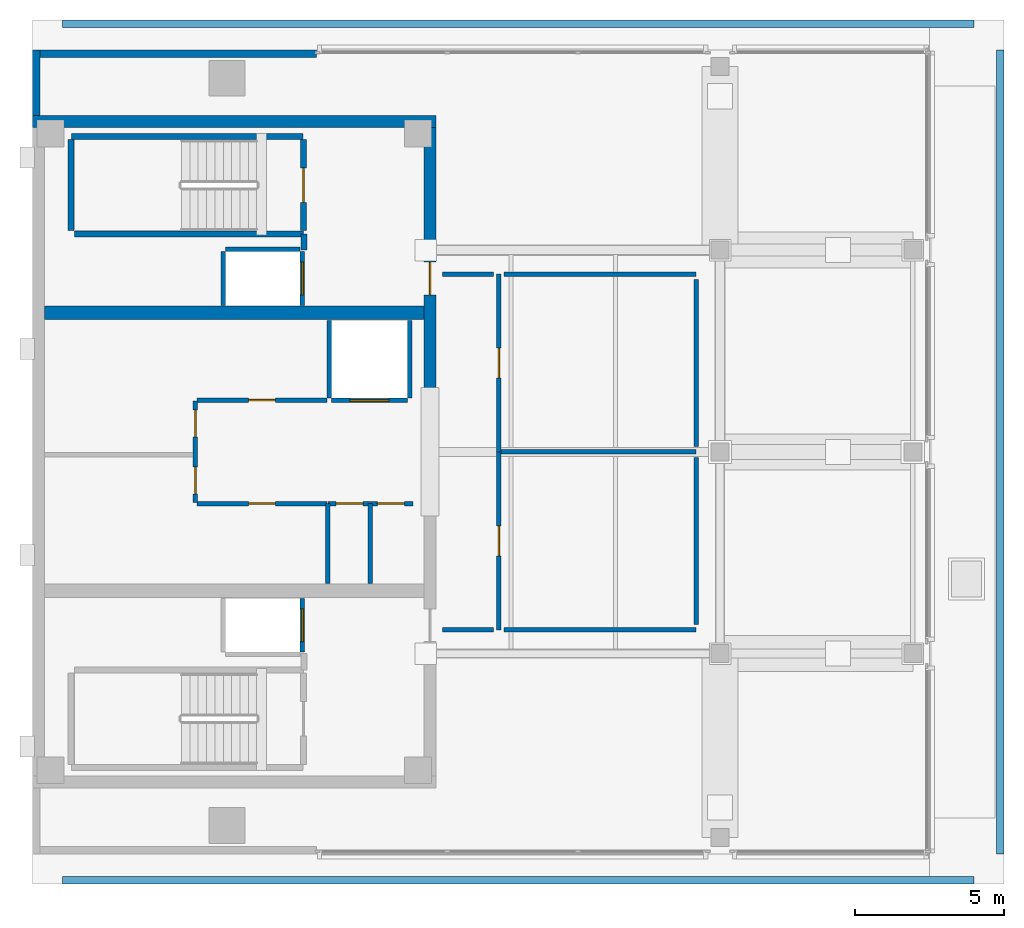
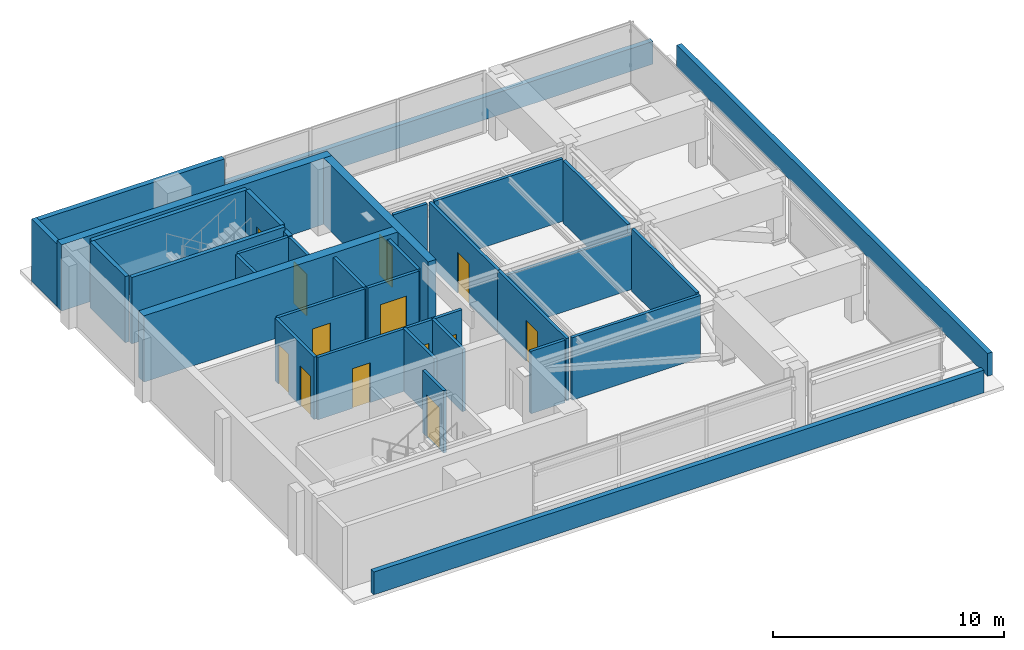
# One storey, part 5 of 9: 35 walls, 13 doors, 13 openings.
"""IFC4 building model written with IfcOpenShell, lengths in metres."""

from ifc_helpers import new_model, si_unit, direction, frame, frame_2d, origin, place, context, subcontext, project, spatial, rectangle, extrude, material, layer, layer_set, type_object, element, fill, save


model = new_model("IFC4")

# Units and contexts
model_context = context("Model", 3, precision=1e-05, world=origin(), true_north=direction((0.0, 1.0)))
body_context = subcontext(model_context, "Body", "Model", "MODEL_VIEW")
ifc_project = project(units=[si_unit("LENGTHUNIT", "METRE"), si_unit("AREAUNIT", "SQUARE_METRE"), si_unit("VOLUMEUNIT", "CUBIC_METRE"), si_unit("PLANEANGLEUNIT", "RADIAN"), si_unit("MASSUNIT", "GRAM", prefix="KILO")], contexts=[model_context])

# Site, building, storey
site_placement = place(None, origin())
site = spatial("IfcSite", under=ifc_project, at=site_placement, CompositionType="ELEMENT")
building_placement = place(site_placement, origin())
building = spatial("IfcBuilding", under=site, at=building_placement, Name="Kinhvarn Gate Tower", CompositionType="ELEMENT")
storey_placement = place(building_placement, frame((0.0, 0.0, 314.550048828125)))
storey = spatial("IfcBuildingStorey", under=building, at=storey_placement, Name="L83", CompositionType="ELEMENT", Elevation=314.550048828125)

# Wall
ifc_material_1 = material(Name="Concrete C50/60", Category="concrete")
ifc_layer_1 = layer(ifc_material_1, 0.39990234375)
ifc_layer_set_1 = layer_set([ifc_layer_1], Name="Concrete C50/60")
wall_type_1 = type_object("IfcWallType", Name="WL-CORE-400", PredefinedType="SHEAR", material=ifc_layer_set_1)
wall_1_placement = place(storey_placement, frame((4.5, 36.300048828125, 0.0), z_axis=(0.0, 0.0, 1.0), x_axis=(1.0, 0.0, 0.0)))
element("IfcWall", 1, at=wall_1_placement, inside=storey, type_object=wall_type_1, Name="Core North Shear Wall L83 400 mm", PredefinedType="SHEAR", context=body_context, shape_type="SweptSolid", body=[
    extrude(rectangle(XDim=13.5, YDim=0.39990234375, at=frame_2d((6.75, 0.0))), origin(), (0.0, 0.0, 1.0), 3.5),
])

# Wall, opening, door
wall_2_placement = place(storey_placement, frame((17.800048828125, 27.050048828125, 0.0), z_axis=(0.0, 0.0, 1.0), x_axis=(0.0, 1.0, 0.0)))
wall_2 = element("IfcWall", 2, at=wall_2_placement, inside=storey, type_object=wall_type_1, Name="Core East-North Shear Pier L83 400 mm", PredefinedType="SHEAR", context=body_context, shape_type="SweptSolid", body=[
    extrude(rectangle(XDim=9.050048828125, YDim=0.39990234375, at=frame_2d((4.52490234375, 0.0))), origin(), (0.0, 0.0, 1.0), 3.5),
])
opening_1_placement = place(wall_2_placement, frame((3.449951171875, 0.0, 0.0)))
opening_1 = element("IfcOpeningElement", 3, at=opening_1_placement, cuts=wall_2, Name="Opening FD-02", PredefinedType="OPENING", context=body_context, shape_type="SweptSolid", body=[
    extrude(rectangle(XDim=1.10009765625, YDim=2.14990234375, at=frame_2d((0.550048828125, 1.074951171875))), frame((0.0, 0.2099609375, 0.0), z_axis=(0.0, -1.0, 0.0), x_axis=(1.0, 0.0, 0.0)), (0.0, 0.0, 1.0), 0.419921875),
])
ifc_material_2 = material(Name="Anodised aluminium AW-6063", Category="aluminium")
door_type_1 = type_object("IfcDoorType", Name="DR-FD-1100", OperationType="NOTDEFINED", PredefinedType="DOOR", material=ifc_material_2)
door_1_placement = place(opening_1_placement, origin())
door_1 = element("IfcDoor", 4, at=door_1_placement, inside=storey, type_object=door_type_1, Name="Firefighting Lobby Core Door (L83)", OperationType="SINGLE_SWING_LEFT", OverallHeight=2.14990234375, OverallWidth=1.10009765625, PredefinedType="DOOR", context=body_context, shape_type="SweptSolid", body=[
    extrude(rectangle(XDim=1.10009765625, YDim=2.14990234375, at=frame_2d((0.550048828125, 1.074951171875))), frame((0.0, 0.02490234375, 0.0), z_axis=(0.0, -1.0, 0.0), x_axis=(1.0, 0.0, 0.0)), (0.0, 0.0, 1.0), 0.050048828125),
])
fill(opening_1, door_1)

# Walls
ifc_layer_2 = layer(ifc_material_1, 0.449951171875)
ifc_layer_set_2 = layer_set([ifc_layer_2], Name="Concrete C50/60")
wall_type_2 = type_object("IfcWallType", Name="WL-CORE-450", PredefinedType="SHEAR", material=ifc_layer_set_2)
wall_3_placement = place(storey_placement, frame((4.89990234375, 29.89990234375, 0.0), z_axis=(0.0, 0.0, 1.0), x_axis=(1.0, 0.0, 0.0)))
element("IfcWall", 5, at=wall_3_placement, inside=storey, type_object=wall_type_2, Name="Core North Spine Shear Wall L83 450 mm", PredefinedType="SHEAR", context=body_context, shape_type="SweptSolid", body=[
    extrude(rectangle(XDim=12.7001953125, YDim=0.449951171875, at=frame_2d((6.35009765625, 0.0))), origin(), (0.0, 0.0, 1.0), 3.5),
])
ifc_material_3 = material(Name="Fired architectural terracotta", Category="masonry")
ifc_layer_3 = layer(ifc_material_3, 0.25)
ifc_layer_set_3 = layer_set([ifc_layer_3], Name="Fired architectural terracotta")
wall_type_3 = type_object("IfcWallType", Name="WL-EXT-250", PredefinedType="SOLIDWALL", material=ifc_layer_set_3)
wall_4_placement = place(storey_placement, frame((4.625, 38.699951171875, 0.0), z_axis=(0.0, 0.0, 1.0), x_axis=(0.0, -1.0, 0.0)))
element("IfcWall", 6, at=wall_4_placement, inside=storey, type_object=wall_type_3, Name="Exterior Solidwall Wall EW-250 (L83 West-North)", PredefinedType="SOLIDWALL", context=body_context, shape_type="SweptSolid", body=[
    extrude(rectangle(XDim=2.199951171875, YDim=0.25, at=frame_2d((1.10009765625, 0.0))), origin(), (0.0, 0.0, 1.0), 3.300048828125),
])
wall_5_placement = place(storey_placement, frame((14.0, 38.574951171875, 0.0), z_axis=(0.0, 0.0, 1.0), x_axis=(-1.0, 0.0, 0.0)))
element("IfcWall", 7, at=wall_5_placement, inside=storey, type_object=wall_type_3, Name="Exterior Solidwall Wall EW-250 (L83 Crown-Core-N)", PredefinedType="SOLIDWALL", context=body_context, shape_type="SweptSolid", body=[
    extrude(rectangle(XDim=9.5, YDim=0.25, at=frame_2d((4.75, 0.0))), origin(), (0.0, 0.0, 1.0), 3.300048828125),
])
ifc_layer_4 = layer(ifc_material_3, 0.25)
ifc_layer_set_4 = layer_set([ifc_layer_4], Name="Fired architectural terracotta")
wall_type_4 = type_object("IfcWallType", Name="WL-PAR-250", PredefinedType="PARAPET", material=ifc_layer_set_4)
wall_6_placement = place(storey_placement, frame((36.875, 11.800048828125, 0.0), z_axis=(0.0, 0.0, 1.0), x_axis=(0.0, 1.0, 0.0)))
element("IfcWall", 8, at=wall_6_placement, inside=storey, type_object=wall_type_4, Name="Exterior Parapet Wall PRW-250 (L83 Crown-Step-Parapet-E)", PredefinedType="PARAPET", context=body_context, shape_type="SweptSolid", body=[
    extrude(rectangle(XDim=26.89990234375, YDim=0.25, at=frame_2d((13.449951171875, 0.0))), origin(), (0.0, 0.0, 1.0), 1.199951171875),
])
for number, where, z_axis, x_axis, name in (
    (9, (5.5, 10.925048828125, 0.0), (0.0, 0.0, 1.0), (1.0, 0.0, 0.0), "Exterior Parapet Wall PRW-250 (L83 Crown-Step-Parapet-S)"),
    (10, (36.0, 39.574951171875, 0.0), (0.0, 0.0, 1.0), (-1.0, 0.0, 0.0), "Exterior Parapet Wall PRW-250 (L83 Crown-Step-Parapet-N)"),
):
    element("IfcWall", number, at=place(storey_placement, frame(where, z_axis=z_axis, x_axis=x_axis)), inside=storey, type_object=wall_type_4, Name=name, PredefinedType="PARAPET", context=body_context, shape_type="SweptSolid", body=[
        extrude(rectangle(XDim=30.5, YDim=0.25, at=frame_2d((15.25, 0.0))), origin(), (0.0, 0.0, 1.0), 1.199951171875),
    ])

# Wall, openings, doors
ifc_material_4 = material(Name="Gypsum acoustic partition board")
ifc_layer_5 = layer(ifc_material_4, 0.14990234375)
ifc_layer_set_5 = layer_set([ifc_layer_5], Name="Gypsum acoustic partition board")
wall_type_5 = type_object("IfcWallType", Name="WL-PRT-150F", PredefinedType="PARTITIONING", material=ifc_layer_set_5)
wall_7_placement = place(storey_placement, frame((9.949951171875, 23.550048828125, 0.0), z_axis=(0.0, 0.0, 1.0), x_axis=(0.0, 1.0, 0.0)))
wall_7 = element("IfcWall", 11, at=wall_7_placement, inside=storey, type_object=wall_type_5, Name="Interior Partition PW-150F (L83)", PredefinedType="PARTITIONING", context=body_context, shape_type="SweptSolid", body=[
    extrude(rectangle(XDim=3.39990234375, YDim=0.14990234375, at=frame_2d((1.699951171875, 0.0))), origin(), (0.0, 0.0, 1.0), 3.300048828125),
])
opening_2_placement = place(wall_7_placement, frame((0.298095703125, 0.0, 0.0)))
opening_2 = element("IfcOpeningElement", 12, at=opening_2_placement, cuts=wall_7, Name="Opening FD-04", PredefinedType="OPENING", context=body_context, shape_type="SweptSolid", body=[
    extrude(rectangle(XDim=0.89990234375, YDim=2.10009765625, at=frame_2d((0.449951171875, 1.050048828125))), frame((0.0, 0.0849609375, 0.0), z_axis=(0.0, -1.0, 0.0), x_axis=(1.0, 0.0, 0.0)), (0.0, 0.0, 1.0), 0.169921875),
])
opening_3_placement = place(wall_7_placement, frame((2.201904296875, 0.0, 0.0)))
opening_3 = element("IfcOpeningElement", 13, at=opening_3_placement, cuts=wall_7, Name="Opening FD-04", PredefinedType="OPENING", context=body_context, shape_type="SweptSolid", body=[
    extrude(rectangle(XDim=0.89990234375, YDim=2.10009765625, at=frame_2d((0.449951171875, 1.050048828125))), frame((0.0, 0.0849609375, 0.0), z_axis=(0.0, -1.0, 0.0), x_axis=(1.0, 0.0, 0.0)), (0.0, 0.0, 1.0), 0.169921875),
])
door_type_2 = type_object("IfcDoorType", Name="DR-FD-900", OperationType="NOTDEFINED", PredefinedType="DOOR", material=ifc_material_2)
door_2_placement = place(opening_2_placement, origin())
door_2 = element("IfcDoor", 14, at=door_2_placement, inside=storey, type_object=door_type_2, Name="Rated Riser & Service Closet Fire Door 900x2100 mm (L83)", OperationType="SINGLE_SWING_LEFT", OverallHeight=2.10009765625, OverallWidth=0.89990234375, PredefinedType="DOOR", context=body_context, shape_type="SweptSolid", body=[
    extrude(rectangle(XDim=0.89990234375, YDim=2.10009765625, at=frame_2d((0.449951171875, 1.050048828125))), frame((0.0, 0.02490234375, 0.0), z_axis=(0.0, -1.0, 0.0), x_axis=(1.0, 0.0, 0.0)), (0.0, 0.0, 1.0), 0.050048828125),
])
fill(opening_2, door_2)
door_3_placement = place(opening_3_placement, origin())
door_3 = element("IfcDoor", 15, at=door_3_placement, inside=storey, type_object=door_type_2, Name="Rated Riser & Service Closet Fire Door 900x2100 mm (L83)", OperationType="SINGLE_SWING_RIGHT", OverallHeight=2.10009765625, OverallWidth=0.89990234375, PredefinedType="DOOR", context=body_context, shape_type="SweptSolid", body=[
    extrude(rectangle(XDim=0.89990234375, YDim=2.10009765625, at=frame_2d((0.449951171875, 1.050048828125))), frame((0.0, 0.02490234375, 0.0), z_axis=(0.0, -1.0, 0.0), x_axis=(1.0, 0.0, 0.0)), (0.0, 0.0, 1.0), 0.050048828125),
])
fill(opening_3, door_3)

# Wall, opening, door
wall_8_placement = place(storey_placement, frame((10.0, 23.52001953125, 0.0), z_axis=(0.0, 0.0, 1.0), x_axis=(1.0, 0.0, 0.0)))
wall_8 = element("IfcWall", 16, at=wall_8_placement, inside=storey, type_object=wall_type_5, Name="Interior Partition PW-150F (L83)", PredefinedType="PARTITIONING", context=body_context, shape_type="SweptSolid", body=[
    extrude(rectangle(XDim=4.35009765625, YDim=0.14990234375, at=frame_2d((2.175048828125, 0.0))), origin(), (0.0, 0.0, 1.0), 3.300048828125),
])
opening_4_placement = place(wall_8_placement, frame((1.72509765625, 0.0, 0.0)))
opening_4 = element("IfcOpeningElement", 17, at=opening_4_placement, cuts=wall_8, Name="Opening FD-04", PredefinedType="OPENING", context=body_context, shape_type="SweptSolid", body=[
    extrude(rectangle(XDim=0.89990234375, YDim=2.10009765625, at=frame_2d((0.449951171875, 1.050048828125))), frame((0.0, 0.0849609375, 0.0), z_axis=(0.0, -1.0, 0.0), x_axis=(1.0, 0.0, 0.0)), (0.0, 0.0, 1.0), 0.169921875),
])
door_4_placement = place(opening_4_placement, origin())
door_4 = element("IfcDoor", 18, at=door_4_placement, inside=storey, type_object=door_type_2, Name="Rated Riser & Service Closet Fire Door 900x2100 mm (L83)", OperationType="SINGLE_SWING_LEFT", OverallHeight=2.10009765625, OverallWidth=0.89990234375, PredefinedType="DOOR", context=body_context, shape_type="SweptSolid", body=[
    extrude(rectangle(XDim=0.89990234375, YDim=2.10009765625, at=frame_2d((0.449951171875, 1.050048828125))), frame((0.0, 0.02490234375, 0.0), z_axis=(0.0, -1.0, 0.0), x_axis=(1.0, 0.0, 0.0)), (0.0, 0.0, 1.0), 0.050048828125),
])
fill(opening_4, door_4)

wall_9_placement = place(storey_placement, frame((10.0, 26.97998046875, 0.0), z_axis=(0.0, 0.0, 1.0), x_axis=(1.0, 0.0, 0.0)))
wall_9 = element("IfcWall", 19, at=wall_9_placement, inside=storey, type_object=wall_type_5, Name="Interior Partition PW-150F (L83)", PredefinedType="PARTITIONING", context=body_context, shape_type="SweptSolid", body=[
    extrude(rectangle(XDim=4.35009765625, YDim=0.14990234375, at=frame_2d((2.175048828125, 0.0))), origin(), (0.0, 0.0, 1.0), 3.300048828125),
])
opening_5_placement = place(wall_9_placement, frame((1.72509765625, 0.0, 0.0)))
opening_5 = element("IfcOpeningElement", 20, at=opening_5_placement, cuts=wall_9, Name="Opening FD-04", PredefinedType="OPENING", context=body_context, shape_type="SweptSolid", body=[
    extrude(rectangle(XDim=0.89990234375, YDim=2.10009765625, at=frame_2d((0.449951171875, 1.050048828125))), frame((0.0, 0.0849609375, 0.0), z_axis=(0.0, -1.0, 0.0), x_axis=(1.0, 0.0, 0.0)), (0.0, 0.0, 1.0), 0.169921875),
])
door_5_placement = place(opening_5_placement, origin())
door_5 = element("IfcDoor", 21, at=door_5_placement, inside=storey, type_object=door_type_2, Name="Rated Riser & Service Closet Fire Door 900x2100 mm (L83)", OperationType="SINGLE_SWING_RIGHT", OverallHeight=2.10009765625, OverallWidth=0.89990234375, PredefinedType="DOOR", context=body_context, shape_type="SweptSolid", body=[
    extrude(rectangle(XDim=0.89990234375, YDim=2.10009765625, at=frame_2d((0.449951171875, 1.050048828125))), frame((0.0, 0.02490234375, 0.0), z_axis=(0.0, -1.0, 0.0), x_axis=(1.0, 0.0, 0.0)), (0.0, 0.0, 1.0), 0.050048828125),
])
fill(opening_5, door_5)

# Walls
for number, where, z_axis, x_axis, name in (
    (22, (14.3798828125, 20.85009765625, 0.0), (0.0, 0.0, 1.0), (0.0, 1.0, 0.0), "Interior Partition PW-150F (L83)"),
    (23, (15.800048828125, 20.85009765625, 0.0), (0.0, 0.0, 1.0), (0.0, 1.0, 0.0), "Interior Partition PW-150F (L83)"),
):
    element("IfcWall", number, at=place(storey_placement, frame(where, z_axis=z_axis, x_axis=x_axis)), inside=storey, type_object=wall_type_5, Name=name, PredefinedType="PARTITIONING", context=body_context, shape_type="SweptSolid", body=[
        extrude(rectangle(XDim=2.669921875, YDim=0.14990234375, at=frame_2d((1.3349609375, 0.0))), origin(), (0.0, 0.0, 1.0), 3.300048828125),
    ])

# Wall, openings, doors
wall_10_placement = place(storey_placement, frame((14.3798828125, 23.52001953125, 0.0), z_axis=(0.0, 0.0, 1.0), x_axis=(1.0, 0.0, 0.0)))
wall_10 = element("IfcWall", 24, at=wall_10_placement, inside=storey, type_object=wall_type_5, Name="Interior Partition PW-150F (L83)", PredefinedType="PARTITIONING", context=body_context, shape_type="SweptSolid", body=[
    extrude(rectangle(XDim=2.840087890625, YDim=0.14990234375, at=frame_2d((1.419921875, 0.0))), origin(), (0.0, 0.0, 1.0), 3.300048828125),
])
opening_6_placement = place(wall_10_placement, frame((0.280029296875, 0.0, 0.0)))
opening_6 = element("IfcOpeningElement", 25, at=opening_6_placement, cuts=wall_10, Name="Opening FD-04", PredefinedType="OPENING", context=body_context, shape_type="SweptSolid", body=[
    extrude(rectangle(XDim=0.89990234375, YDim=2.10009765625, at=frame_2d((0.449951171875, 1.050048828125))), frame((0.0, 0.0849609375, 0.0), z_axis=(0.0, -1.0, 0.0), x_axis=(1.0, 0.0, 0.0)), (0.0, 0.0, 1.0), 0.169921875),
])
opening_7_placement = place(wall_10_placement, frame((1.659912109375, 0.0, 0.0)))
opening_7 = element("IfcOpeningElement", 26, at=opening_7_placement, cuts=wall_10, Name="Opening FD-04", PredefinedType="OPENING", context=body_context, shape_type="SweptSolid", body=[
    extrude(rectangle(XDim=0.89990234375, YDim=2.10009765625, at=frame_2d((0.449951171875, 1.050048828125))), frame((0.0, 0.0849609375, 0.0), z_axis=(0.0, -1.0, 0.0), x_axis=(1.0, 0.0, 0.0)), (0.0, 0.0, 1.0), 0.169921875),
])
door_6_placement = place(opening_6_placement, origin())
door_6 = element("IfcDoor", 27, at=door_6_placement, inside=storey, type_object=door_type_2, Name="Rated Riser & Service Closet Fire Door 900x2100 mm (L83)", OperationType="SINGLE_SWING_LEFT", OverallHeight=2.10009765625, OverallWidth=0.89990234375, PredefinedType="DOOR", context=body_context, shape_type="SweptSolid", body=[
    extrude(rectangle(XDim=0.89990234375, YDim=2.10009765625, at=frame_2d((0.449951171875, 1.050048828125))), frame((0.0, 0.02490234375, 0.0), z_axis=(0.0, -1.0, 0.0), x_axis=(1.0, 0.0, 0.0)), (0.0, 0.0, 1.0), 0.050048828125),
])
fill(opening_6, door_6)
door_7_placement = place(opening_7_placement, origin())
door_7 = element("IfcDoor", 28, at=door_7_placement, inside=storey, type_object=door_type_2, Name="Rated Riser & Service Closet Fire Door 900x2100 mm (L83)", OperationType="SINGLE_SWING_RIGHT", OverallHeight=2.10009765625, OverallWidth=0.89990234375, PredefinedType="DOOR", context=body_context, shape_type="SweptSolid", body=[
    extrude(rectangle(XDim=0.89990234375, YDim=2.10009765625, at=frame_2d((0.449951171875, 1.050048828125))), frame((0.0, 0.02490234375, 0.0), z_axis=(0.0, -1.0, 0.0), x_axis=(1.0, 0.0, 0.0)), (0.0, 0.0, 1.0), 0.050048828125),
])
fill(opening_7, door_7)

# Wall, opening, door
wall_11_placement = place(storey_placement, frame((20.10009765625, 19.300048828125, 0.0), z_axis=(0.0, 0.0, 1.0), x_axis=(0.0, 1.0, 0.0)))
wall_11 = element("IfcWall", 29, at=wall_11_placement, inside=storey, type_object=wall_type_5, Name="Interior Partition PW-150F (L83)", PredefinedType="PARTITIONING", context=body_context, shape_type="SweptSolid", body=[
    extrude(rectangle(XDim=5.949951171875, YDim=0.14990234375, at=frame_2d((2.97509765625, 0.0))), origin(), (0.0, 0.0, 1.0), 3.300048828125),
])
opening_8_placement = place(wall_11_placement, frame((2.47509765625, 0.0, 0.0)))
opening_8 = element("IfcOpeningElement", 30, at=opening_8_placement, cuts=wall_11, Name="Opening FD-03", PredefinedType="OPENING", context=body_context, shape_type="SweptSolid", body=[
    extrude(rectangle(XDim=1.0, YDim=2.14990234375, at=frame_2d((0.5, 1.074951171875))), frame((0.0, 0.0849609375, 0.0), z_axis=(0.0, -1.0, 0.0), x_axis=(1.0, 0.0, 0.0)), (0.0, 0.0, 1.0), 0.169921875),
])
door_type_3 = type_object("IfcDoorType", Name="DR-FD-1000", OperationType="NOTDEFINED", PredefinedType="DOOR", material=ifc_material_2)
door_8_placement = place(opening_8_placement, origin())
door_8 = element("IfcDoor", 31, at=door_8_placement, inside=storey, type_object=door_type_3, Name="Rated Plant & Corridor Fire Door 1000x2150 mm (L83)", OperationType="SINGLE_SWING_LEFT", OverallHeight=2.14990234375, OverallWidth=1.0, PredefinedType="DOOR", context=body_context, shape_type="SweptSolid", body=[
    extrude(rectangle(XDim=1.0, YDim=2.14990234375, at=frame_2d((0.5, 1.074951171875))), frame((0.0, 0.02490234375, 0.0), z_axis=(0.0, -1.0, 0.0), x_axis=(1.0, 0.0, 0.0)), (0.0, 0.0, 1.0), 0.050048828125),
])
fill(opening_8, door_8)

wall_12_placement = place(storey_placement, frame((20.10009765625, 25.25, 0.0), z_axis=(0.0, 0.0, 1.0), x_axis=(0.0, 1.0, 0.0)))
wall_12 = element("IfcWall", 32, at=wall_12_placement, inside=storey, type_object=wall_type_5, Name="Interior Partition PW-150F (L83)", PredefinedType="PARTITIONING", context=body_context, shape_type="SweptSolid", body=[
    extrude(rectangle(XDim=5.949951171875, YDim=0.14990234375, at=frame_2d((2.97509765625, 0.0))), origin(), (0.0, 0.0, 1.0), 3.300048828125),
])
opening_9_placement = place(wall_12_placement, frame((2.47509765625, 0.0, 0.0)))
opening_9 = element("IfcOpeningElement", 33, at=opening_9_placement, cuts=wall_12, Name="Opening FD-03", PredefinedType="OPENING", context=body_context, shape_type="SweptSolid", body=[
    extrude(rectangle(XDim=1.0, YDim=2.14990234375, at=frame_2d((0.5, 1.074951171875))), frame((0.0, 0.0849609375, 0.0), z_axis=(0.0, -1.0, 0.0), x_axis=(1.0, 0.0, 0.0)), (0.0, 0.0, 1.0), 0.169921875),
])
door_9_placement = place(opening_9_placement, origin())
door_9 = element("IfcDoor", 34, at=door_9_placement, inside=storey, type_object=door_type_3, Name="Rated Plant & Corridor Fire Door 1000x2150 mm (L83)", OperationType="SINGLE_SWING_RIGHT", OverallHeight=2.14990234375, OverallWidth=1.0, PredefinedType="DOOR", context=body_context, shape_type="SweptSolid", body=[
    extrude(rectangle(XDim=1.0, YDim=2.14990234375, at=frame_2d((0.5, 1.074951171875))), frame((0.0, 0.02490234375, 0.0), z_axis=(0.0, -1.0, 0.0), x_axis=(1.0, 0.0, 0.0)), (0.0, 0.0, 1.0), 0.050048828125),
])
fill(opening_9, door_9)

# Walls
wall_13_placement = place(storey_placement, frame((20.10009765625, 25.25, 0.0), z_axis=(0.0, 0.0, 1.0), x_axis=(1.0, 0.0, 0.0)))
element("IfcWall", 35, at=wall_13_placement, inside=storey, type_object=wall_type_5, Name="Interior Partition PW-150F (L83)", PredefinedType="PARTITIONING", context=body_context, shape_type="SweptSolid", body=[
    extrude(rectangle(XDim=6.599853515625, YDim=0.14990234375, at=frame_2d((3.2998046875, 0.0))), origin(), (0.0, 0.0, 1.0), 2.93994140625),
])
wall_14_placement = place(storey_placement, frame((26.699951171875, 19.300048828125, 0.0), z_axis=(0.0, 0.0, 1.0), x_axis=(-1.0, 0.0, 0.0)))
element("IfcWall", 36, at=wall_14_placement, inside=storey, type_object=wall_type_5, Name="Interior Partition PW-150F (L83)", PredefinedType="PARTITIONING", context=body_context, shape_type="SweptSolid", body=[
    extrude(rectangle(XDim=6.419921875, YDim=0.14990234375, at=frame_2d((3.2099609375, 0.0))), origin(), (0.0, 0.0, 1.0), 3.300048828125),
])
for number, where, z_axis, x_axis, name in (
    (37, (19.919921875, 19.300048828125, 0.0), (0.0, 0.0, 1.0), (-1.0, 0.0, 0.0), "Interior Partition PW-150F (L83)"),
    (38, (18.219970703125, 31.199951171875, 0.0), (0.0, 0.0, 1.0), (1.0, 0.0, 0.0), "Interior Partition PW-150F (L83)"),
):
    element("IfcWall", number, at=place(storey_placement, frame(where, z_axis=z_axis, x_axis=x_axis)), inside=storey, type_object=wall_type_5, Name=name, PredefinedType="PARTITIONING", context=body_context, shape_type="SweptSolid", body=[
        extrude(rectangle(XDim=1.699951171875, YDim=0.14990234375, at=frame_2d((0.85009765625, 0.0))), origin(), (0.0, 0.0, 1.0), 3.300048828125),
    ])
wall_15_placement = place(storey_placement, frame((20.280029296875, 31.199951171875, 0.0), z_axis=(0.0, 0.0, 1.0), x_axis=(1.0, 0.0, 0.0)))
element("IfcWall", 39, at=wall_15_placement, inside=storey, type_object=wall_type_5, Name="Interior Partition PW-150F (L83)", PredefinedType="PARTITIONING", context=body_context, shape_type="SweptSolid", body=[
    extrude(rectangle(XDim=6.419921875, YDim=0.14990234375, at=frame_2d((3.2099609375, 0.0))), origin(), (0.0, 0.0, 1.0), 3.300048828125),
])
for number, where, z_axis, x_axis, name in (
    (40, (26.699951171875, 31.02001953125, 0.0), (0.0, 0.0, 1.0), (0.0, -1.0, 0.0), "Interior Partition PW-150F (L83)"),
    (41, (26.699951171875, 25.070068359375, 0.0), (0.0, 0.0, 1.0), (0.0, -1.0, 0.0), "Interior Partition PW-150F (L83)"),
):
    element("IfcWall", number, at=place(storey_placement, frame(where, z_axis=z_axis, x_axis=x_axis)), inside=storey, type_object=wall_type_5, Name=name, PredefinedType="PARTITIONING", context=body_context, shape_type="SweptSolid", body=[
        extrude(rectangle(XDim=5.590087890625, YDim=0.14990234375, at=frame_2d((2.794921875, 0.0))), origin(), (0.0, 0.0, 1.0), 3.300048828125),
    ])
ifc_layer_6 = layer(ifc_material_4, 0.199951171875)
ifc_layer_set_6 = layer_set([ifc_layer_6], Name="Gypsum acoustic partition board")
wall_type_6 = type_object("IfcWallType", Name="WL-PRT-200", PredefinedType="PARTITIONING", material=ifc_layer_set_6)
wall_16_placement = place(storey_placement, frame((13.580078125, 32.0, 0.0), z_axis=(0.0, 0.0, 1.0), x_axis=(0.0, 1.0, 0.0)))
element("IfcWall", 42, at=wall_16_placement, inside=storey, type_object=wall_type_6, Name="Interior Partition PW-200 (L83)", PredefinedType="PARTITIONING", context=body_context, shape_type="SweptSolid", body=[
    extrude(rectangle(XDim=0.5400390625, YDim=0.199951171875, at=frame_2d((0.27001953125, 0.0))), origin(), (0.0, 0.0, 1.0), 3.300048828125),
])

# Wall, opening, door
ifc_layer_7 = layer(ifc_material_4, 0.14990234375)
ifc_layer_set_7 = layer_set([ifc_layer_7], Name="Gypsum acoustic partition board")
wall_type_7 = type_object("IfcWallType", Name="WL-SHF-150", PredefinedType="PARTITIONING", material=ifc_layer_set_7)
wall_17_placement = place(storey_placement, frame((14.5, 26.97509765625, 0.0), z_axis=(0.0, 0.0, 1.0), x_axis=(1.0, 0.0, 0.0)))
wall_17 = element("IfcWall", 43, at=wall_17_placement, inside=storey, type_object=wall_type_7, Name="Elevator SV-01 Landing Wall (L83)", PredefinedType="PARTITIONING", context=body_context, shape_type="SweptSolid", body=[
    extrude(rectangle(XDim=2.550048828125, YDim=0.14990234375, at=frame_2d((1.27490234375, 0.0))), origin(), (0.0, 0.0, 1.0), 3.300048828125),
])
opening_10_placement = place(wall_17_placement, frame((0.625, 0.0, 0.0)))
opening_10 = element("IfcOpeningElement", 44, at=opening_10_placement, cuts=wall_17, Name="Opening LD-02", PredefinedType="OPENING", context=body_context, shape_type="SweptSolid", body=[
    extrude(rectangle(XDim=1.300048828125, YDim=2.199951171875, at=frame_2d((0.64990234375, 1.10009765625))), frame((0.0, 0.0849609375, 0.0), z_axis=(0.0, -1.0, 0.0), x_axis=(1.0, 0.0, 0.0)), (0.0, 0.0, 1.0), 0.169921875),
])
door_type_4 = type_object("IfcDoorType", Name="DR-LND-SRV", OperationType="NOTDEFINED", PredefinedType="DOOR", material=ifc_material_2)
door_10_placement = place(opening_10_placement, origin())
door_10 = element("IfcDoor", 45, at=door_10_placement, inside=storey, type_object=door_type_4, Name="Elevator SV-01 Sliding Landing Door (L83)", OperationType="DOUBLE_DOOR_SLIDING", OverallHeight=2.199951171875, OverallWidth=1.300048828125, PredefinedType="DOOR", context=body_context, shape_type="SweptSolid", body=[
    extrude(rectangle(XDim=1.300048828125, YDim=2.199951171875, at=frame_2d((0.64990234375, 1.10009765625))), frame((0.0, 0.02490234375, 0.0), z_axis=(0.0, -1.0, 0.0), x_axis=(1.0, 0.0, 0.0)), (0.0, 0.0, 1.0), 0.050048828125),
])
fill(opening_10, door_10)

# Walls
for number, where, z_axis, x_axis, name in (
    (46, (14.425048828125, 27.050048828125, 0.0), (0.0, 0.0, 1.0), (0.0, 1.0, 0.0), "Elevator SV-01 Hoistway Wall W (L83)"),
    (47, (17.125, 27.050048828125, 0.0), (0.0, 0.0, 1.0), (0.0, 1.0, 0.0), "Elevator SV-01 Hoistway Wall E (L83)"),
):
    element("IfcWall", number, at=place(storey_placement, frame(where, z_axis=z_axis, x_axis=x_axis)), inside=storey, type_object=wall_type_7, Name=name, PredefinedType="PARTITIONING", context=body_context, shape_type="SweptSolid", body=[
        extrude(rectangle(XDim=2.599853515625, YDim=0.14990234375, at=frame_2d((1.2998046875, 0.0))), origin(), (0.0, 0.0, 1.0), 3.300048828125),
    ])

# Wall, opening, door
wall_18_placement = place(storey_placement, frame((13.52490234375, 18.550048828125, 0.0), z_axis=(0.0, 0.0, 1.0), x_axis=(0.0, 1.0, 0.0)))
wall_18 = element("IfcWall", 48, at=wall_18_placement, inside=storey, type_object=wall_type_7, Name="Elevator FF1 Landing Wall (L83)", PredefinedType="PARTITIONING", context=body_context, shape_type="SweptSolid", body=[
    extrude(rectangle(XDim=1.800048828125, YDim=0.14990234375, at=frame_2d((0.89990234375, 0.0))), origin(), (0.0, 0.0, 1.0), 3.300048828125),
])
opening_11_placement = place(wall_18_placement, frame((0.35009765625, 0.0, 0.0)))
opening_11 = element("IfcOpeningElement", 49, at=opening_11_placement, cuts=wall_18, Name="Opening LD-03", PredefinedType="OPENING", context=body_context, shape_type="SweptSolid", body=[
    extrude(rectangle(XDim=1.10009765625, YDim=2.199951171875, at=frame_2d((0.550048828125, 1.10009765625))), frame((0.0, 0.0849609375, 0.0), z_axis=(0.0, -1.0, 0.0), x_axis=(1.0, 0.0, 0.0)), (0.0, 0.0, 1.0), 0.169921875),
])
door_type_5 = type_object("IfcDoorType", Name="DR-LND-FF", OperationType="NOTDEFINED", PredefinedType="DOOR", material=ifc_material_2)
door_11_placement = place(opening_11_placement, origin())
door_11 = element("IfcDoor", 50, at=door_11_placement, inside=storey, type_object=door_type_5, Name="Elevator FF1 Sliding Landing Door (L83)", OperationType="DOUBLE_DOOR_SLIDING", OverallHeight=2.199951171875, OverallWidth=1.10009765625, PredefinedType="DOOR", context=body_context, shape_type="SweptSolid", body=[
    extrude(rectangle(XDim=1.10009765625, YDim=2.199951171875, at=frame_2d((0.550048828125, 1.10009765625))), frame((0.0, 0.02490234375, 0.0), z_axis=(0.0, -1.0, 0.0), x_axis=(1.0, 0.0, 0.0)), (0.0, 0.0, 1.0), 0.050048828125),
])
fill(opening_11, door_11)

# Walls
wall_19_placement = place(storey_placement, frame((10.949951171875, 32.02490234375, 0.0), z_axis=(0.0, 0.0, 1.0), x_axis=(1.0, 0.0, 0.0)))
element("IfcWall", 51, at=wall_19_placement, inside=storey, type_object=wall_type_7, Name="Elevator FF2 Hoistway Wall N (L83)", PredefinedType="PARTITIONING", context=body_context, shape_type="SweptSolid", body=[
    extrude(rectangle(XDim=2.5, YDim=0.14990234375, at=frame_2d((1.25, 0.0))), origin(), (0.0, 0.0, 1.0), 3.300048828125),
])
wall_20_placement = place(storey_placement, frame((10.875, 30.14990234375, 0.0), z_axis=(0.0, 0.0, 1.0), x_axis=(0.0, 1.0, 0.0)))
element("IfcWall", 52, at=wall_20_placement, inside=storey, type_object=wall_type_7, Name="Elevator FF2 Hoistway Wall W (L83)", PredefinedType="PARTITIONING", context=body_context, shape_type="SweptSolid", body=[
    extrude(rectangle(XDim=1.800048828125, YDim=0.14990234375, at=frame_2d((0.89990234375, 0.0))), origin(), (0.0, 0.0, 1.0), 3.300048828125),
])

# Wall, opening, door
wall_21_placement = place(storey_placement, frame((13.52490234375, 30.14990234375, 0.0), z_axis=(0.0, 0.0, 1.0), x_axis=(0.0, 1.0, 0.0)))
wall_21 = element("IfcWall", 53, at=wall_21_placement, inside=storey, type_object=wall_type_7, Name="Elevator FF2 Landing Wall (L83)", PredefinedType="PARTITIONING", context=body_context, shape_type="SweptSolid", body=[
    extrude(rectangle(XDim=1.800048828125, YDim=0.14990234375, at=frame_2d((0.89990234375, 0.0))), origin(), (0.0, 0.0, 1.0), 3.300048828125),
])
opening_12_placement = place(wall_21_placement, frame((0.35009765625, 0.0, 0.0)))
opening_12 = element("IfcOpeningElement", 54, at=opening_12_placement, cuts=wall_21, Name="Opening LD-03", PredefinedType="OPENING", context=body_context, shape_type="SweptSolid", body=[
    extrude(rectangle(XDim=1.10009765625, YDim=2.199951171875, at=frame_2d((0.550048828125, 1.10009765625))), frame((0.0, 0.0849609375, 0.0), z_axis=(0.0, -1.0, 0.0), x_axis=(1.0, 0.0, 0.0)), (0.0, 0.0, 1.0), 0.169921875),
])
door_12_placement = place(opening_12_placement, origin())
door_12 = element("IfcDoor", 55, at=door_12_placement, inside=storey, type_object=door_type_5, Name="Elevator FF2 Sliding Landing Door (L83)", OperationType="DOUBLE_DOOR_SLIDING", OverallHeight=2.199951171875, OverallWidth=1.10009765625, PredefinedType="DOOR", context=body_context, shape_type="SweptSolid", body=[
    extrude(rectangle(XDim=1.10009765625, YDim=2.199951171875, at=frame_2d((0.550048828125, 1.10009765625))), frame((0.0, 0.02490234375, 0.0), z_axis=(0.0, -1.0, 0.0), x_axis=(1.0, 0.0, 0.0)), (0.0, 0.0, 1.0), 0.050048828125),
])
fill(opening_12, door_12)

# Walls
ifc_material_5 = material(Name="Concrete C40/50", Category="concrete")
ifc_layer_8 = layer(ifc_material_5, 0.199951171875)
ifc_layer_set_8 = layer_set([ifc_layer_8], Name="Concrete C40/50")
wall_type_8 = type_object("IfcWallType", Name="WL-SHF-200", PredefinedType="SOLIDWALL", material=ifc_layer_set_8)
wall_22_placement = place(storey_placement, frame((5.800048828125, 35.800048828125, 0.0), z_axis=(0.0, 0.0, 1.0), x_axis=(1.0, 0.0, 0.0)))
element("IfcWall", 56, at=wall_22_placement, inside=storey, type_object=wall_type_8, Name="Stair ST2 North Shaft Wall (L83)", PredefinedType="SOLIDWALL", context=body_context, shape_type="SweptSolid", body=[
    extrude(rectangle(XDim=7.75, YDim=0.199951171875, at=frame_2d((3.875, 0.0))), origin(), (0.0, 0.0, 1.0), 3.5),
])
wall_23_placement = place(storey_placement, frame((5.7900390625, 32.64990234375, 0.0), z_axis=(0.0, 0.0, 1.0), x_axis=(0.0, 1.0, 0.0)))
element("IfcWall", 57, at=wall_23_placement, inside=storey, type_object=wall_type_8, Name="Stair ST2 West Shaft Wall (L83)", PredefinedType="SOLIDWALL", context=body_context, shape_type="SweptSolid", body=[
    extrude(rectangle(XDim=3.050048828125, YDim=0.199951171875, at=frame_2d((1.52490234375, 0.0))), origin(), (0.0, 0.0, 1.0), 3.5),
])
wall_24_placement = place(storey_placement, frame((5.89990234375, 32.5400390625, 0.0), z_axis=(0.0, 0.0, 1.0), x_axis=(1.0, 0.0, 0.0)))
element("IfcWall", 58, at=wall_24_placement, inside=storey, type_object=wall_type_8, Name="Stair ST2 South Shaft Wall (L83)", PredefinedType="SOLIDWALL", context=body_context, shape_type="SweptSolid", body=[
    extrude(rectangle(XDim=7.66015625, YDim=0.199951171875, at=frame_2d((3.830078125, 0.0))), origin(), (0.0, 0.0, 1.0), 3.5),
])

# Wall, opening, door
wall_25_placement = place(storey_placement, frame((13.56005859375, 32.64990234375, 0.0), z_axis=(0.0, 0.0, 1.0), x_axis=(0.0, 1.0, 0.0)))
wall_25 = element("IfcWall", 59, at=wall_25_placement, inside=storey, type_object=wall_type_8, Name="Stair ST2 East Entry Wall (L83)", PredefinedType="SOLIDWALL", context=body_context, shape_type="SweptSolid", body=[
    extrude(rectangle(XDim=3.050048828125, YDim=0.199951171875, at=frame_2d((1.52490234375, 0.0))), origin(), (0.0, 0.0, 1.0), 3.5),
])
opening_13_placement = place(wall_25_placement, frame((0.949951171875, 0.0, 0.0)))
opening_13 = element("IfcOpeningElement", 60, at=opening_13_placement, cuts=wall_25, Name="Opening FD-01", PredefinedType="OPENING", context=body_context, shape_type="SweptSolid", body=[
    extrude(rectangle(XDim=1.14990234375, YDim=2.14990234375, at=frame_2d((0.574951171875, 1.074951171875))), frame((0.0, 0.10986328125, 0.0), z_axis=(0.0, -1.0, 0.0), x_axis=(1.0, 0.0, 0.0)), (0.0, 0.0, 1.0), 0.219970703125),
])
door_type_6 = type_object("IfcDoorType", Name="DR-ST-1150", OperationType="NOTDEFINED", PredefinedType="DOOR", material=ifc_material_2)
door_13_placement = place(opening_13_placement, origin())
door_13 = element("IfcDoor", 61, at=door_13_placement, inside=storey, type_object=door_type_6, Name="Exit Stair ST2 Fire Door (L83)", OperationType="SINGLE_SWING_RIGHT", OverallHeight=2.14990234375, OverallWidth=1.14990234375, PredefinedType="DOOR", context=body_context, shape_type="SweptSolid", body=[
    extrude(rectangle(XDim=1.14990234375, YDim=2.14990234375, at=frame_2d((0.574951171875, 1.074951171875))), frame((0.0, 0.02490234375, 0.0), z_axis=(0.0, -1.0, 0.0), x_axis=(1.0, 0.0, 0.0)), (0.0, 0.0, 1.0), 0.050048828125),
])
fill(opening_13, door_13)

save(model, "model.ifc")
